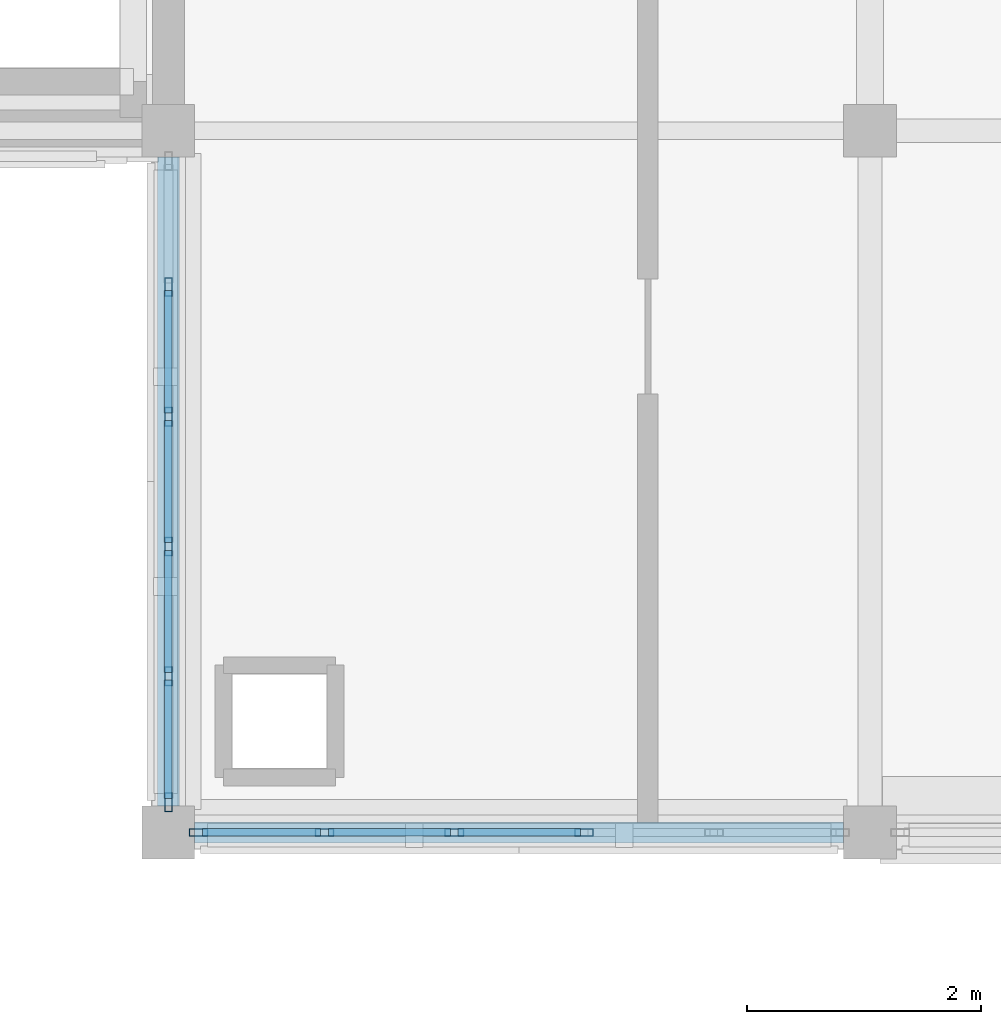
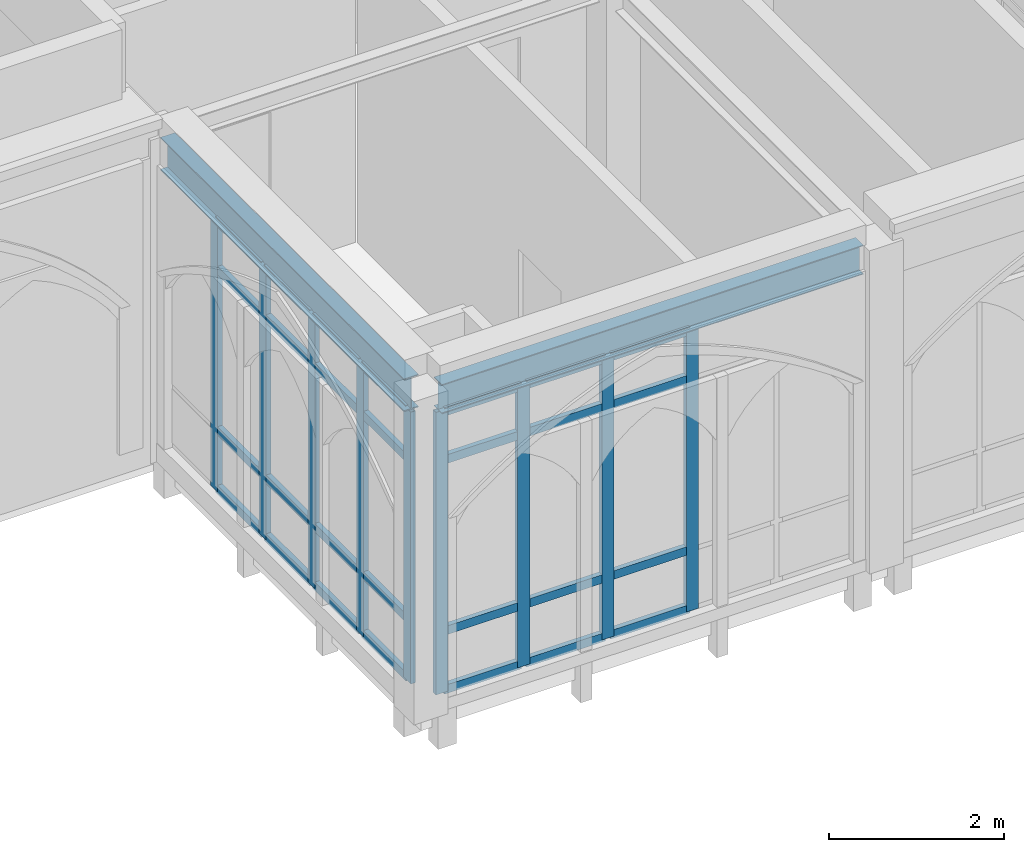
# One storey, part 13 of 59: 37 members, 2 beams, 2 elements without a shape of their own.
"""IFC4 building model written with IfcOpenShell, lengths in metres."""

from ifc_helpers import new_model, si_unit, direction, frame, origin, origin_2d, place, context, subcontext, project, spatial, hollow_rectangle, i_section, extrude, material, layer, layer_set, material_profile, profile_set, type_object, element, aggregate, save


model = new_model("IFC4")

# Units and contexts
model_context = context("Model", 3, precision=1e-05, world=origin(), true_north=direction((0.0, 1.0)))
body_context = subcontext(model_context, "Body", "Model", "MODEL_VIEW")
ifc_project = project(units=[si_unit("LENGTHUNIT", "METRE"), si_unit("AREAUNIT", "SQUARE_METRE"), si_unit("VOLUMEUNIT", "CUBIC_METRE"), si_unit("PLANEANGLEUNIT", "RADIAN"), si_unit("MASSUNIT", "GRAM", prefix="KILO")], contexts=[model_context])

# Site, building, storey
site_placement = place(None, origin())
site = spatial("IfcSite", under=ifc_project, at=site_placement, CompositionType="ELEMENT")
building_placement = place(site_placement, origin())
building = spatial("IfcBuilding", under=site, at=building_placement, Name="Cumevento Cable Car Station", CompositionType="ELEMENT")
storey_placement = place(building_placement, frame((0.0, 0.0, 18.0)))
storey = spatial("IfcBuildingStorey", under=building, at=storey_placement, Name="L05", CompositionType="ELEMENT", Elevation=18.0)

# Curtain wall, members
ifc_material_1 = material(Name="Anodised Bronze Aluminium AW-6063-T6", Category="aluminium")
ifc_layer_1 = layer(ifc_material_1, 0.159912109375)
ifc_layer_set_1 = layer_set([ifc_layer_1], Name="Anodised Bronze Aluminium AW-6063-T6")
curtain_wall_type_1 = type_object("IfcCurtainWallType", Name="Lancet Curtain Wall CW-01 1050", PredefinedType="NOTDEFINED", material=ifc_layer_set_1)
curtain_wall_1_placement = place(storey_placement, origin())
curtain_wall_1 = element("IfcCurtainWall", 1, at=curtain_wall_1_placement, inside=storey, type_object=curtain_wall_type_1, Name="Lancet Curtain Wall CW-01 L05 #192", PredefinedType="NOTDEFINED")
ifc_material_2 = material(Name="Anodised Bronze Aluminium AW-6063-T6", Category="aluminium")
ifc_material_profile_1 = material_profile(ifc_material_2, hollow_rectangle(XDim=0.06494140625, YDim=0.159912109375, WallThickness=0.00390625, at=origin_2d()), Name="ALUM65x160x4")
ifc_profile_set_1 = profile_set([ifc_material_profile_1], Name="Anodised Bronze Aluminium AW-6063-T6")
member_type_1 = type_object("IfcMemberType", Name="Curtain Mullion CWM-01 ALUM65x160x4", PredefinedType="MULLION", material=ifc_profile_set_1)
member_1_placement = place(storey_placement, frame((73.554931640625, 33.0, 0.159912109375), z_axis=(0.0, 0.0, 1.0), x_axis=(0.0, -1.0, 0.0)))
member_1 = element("IfcMember", 2, at=member_1_placement, type_object=member_type_1, Name="CW-01 mullion 3", PredefinedType="MULLION", context=body_context, shape_type="SweptSolid", body=[
    extrude(hollow_rectangle(XDim=0.06494140625, YDim=0.159912109375, WallThickness=0.00390625, at=origin_2d()), origin(), (0.0, 0.0, 1.0), 3.93310546875),
])
member_2_placement = place(storey_placement, frame((72.445068359375, 33.0, 0.159912109375), z_axis=(0.0, 0.0, 1.0), x_axis=(0.0, -1.0, 0.0)))
member_2 = element("IfcMember", 3, at=member_2_placement, type_object=member_type_1, Name="CW-01 mullion 4", PredefinedType="MULLION", context=body_context, shape_type="SweptSolid", body=[
    extrude(hollow_rectangle(XDim=0.06494140625, YDim=0.159912109375, WallThickness=0.00390625, at=origin_2d()), origin(), (0.0, 0.0, 1.0), 3.93310546875),
])
member_3_placement = place(storey_placement, frame((71.3349609375, 33.0, 0.159912109375), z_axis=(0.0, 0.0, 1.0), x_axis=(0.0, -1.0, 0.0)))
member_3 = element("IfcMember", 4, at=member_3_placement, type_object=member_type_1, Name="CW-01 mullion 5", PredefinedType="MULLION", context=body_context, shape_type="SweptSolid", body=[
    extrude(hollow_rectangle(XDim=0.06494140625, YDim=0.159912109375, WallThickness=0.00390625, at=origin_2d()), origin(), (0.0, 0.0, 1.0), 3.93310546875),
])
member_4_placement = place(storey_placement, frame((70.257568359375, 33.0, 0.159912109375), z_axis=(0.0, 0.0, 1.0), x_axis=(0.0, -1.0, 0.0)))
member_4 = element("IfcMember", 5, at=member_4_placement, type_object=member_type_1, Name="CW-01 mullion 6", PredefinedType="MULLION", context=body_context, shape_type="SweptSolid", body=[
    extrude(hollow_rectangle(XDim=0.06494140625, YDim=0.159912109375, WallThickness=0.00390625, at=origin_2d()), origin(), (0.0, 0.0, 1.0), 3.93310546875),
])

ifc_material_3 = material(Name="Anodised Bronze Aluminium AW-6063-T6", Category="aluminium")
ifc_layer_2 = layer(ifc_material_3, 0.172119140625)
ifc_layer_set_2 = layer_set([ifc_layer_2], Name="Anodised Bronze Aluminium AW-6063-T6")
curtain_wall_type_2 = type_object("IfcCurtainWallType", Name="Lancet Curtain Wall CW-03 1130", PredefinedType="NOTDEFINED", material=ifc_layer_set_2)
curtain_wall_2_placement = place(storey_placement, origin())
curtain_wall_2 = element("IfcCurtainWall", 6, at=curtain_wall_2_placement, inside=storey, type_object=curtain_wall_type_2, Name="Lancet Curtain Wall CW-03 L05 #194", PredefinedType="NOTDEFINED")
member_5_placement = place(storey_placement, frame((70.0, 33.257568359375, 0.260009765625), z_axis=(0.0, 0.0, 1.0), x_axis=(-1.0, 0.0, 0.0)))
member_5 = element("IfcMember", 7, at=member_5_placement, type_object=member_type_1, Name="CW-03 mullion 1", PredefinedType="MULLION", context=body_context, shape_type="SweptSolid", body=[
    extrude(hollow_rectangle(XDim=0.06494140625, YDim=0.159912109375, WallThickness=0.00390625, at=origin_2d()), origin(), (0.0, 0.0, 1.0), 3.782958984375),
])
member_6_placement = place(storey_placement, frame((70.0, 34.3349609375, 0.260009765625), z_axis=(0.0, 0.0, 1.0), x_axis=(-1.0, 0.0, 0.0)))
member_6 = element("IfcMember", 8, at=member_6_placement, type_object=member_type_1, Name="CW-03 mullion 2", PredefinedType="MULLION", context=body_context, shape_type="SweptSolid", body=[
    extrude(hollow_rectangle(XDim=0.06494140625, YDim=0.159912109375, WallThickness=0.00390625, at=origin_2d()), origin(), (0.0, 0.0, 1.0), 3.782958984375),
])
member_7_placement = place(storey_placement, frame((70.0, 35.445068359375, 0.260009765625), z_axis=(0.0, 0.0, 1.0), x_axis=(-1.0, 0.0, 0.0)))
member_7 = element("IfcMember", 9, at=member_7_placement, type_object=member_type_1, Name="CW-03 mullion 3", PredefinedType="MULLION", context=body_context, shape_type="SweptSolid", body=[
    extrude(hollow_rectangle(XDim=0.06494140625, YDim=0.159912109375, WallThickness=0.00390625, at=origin_2d()), origin(), (0.0, 0.0, 1.0), 3.782958984375),
])
member_8_placement = place(storey_placement, frame((70.0, 36.554931640625, 0.260009765625), z_axis=(0.0, 0.0, 1.0), x_axis=(-1.0, 0.0, 0.0)))
member_8 = element("IfcMember", 10, at=member_8_placement, type_object=member_type_1, Name="CW-03 mullion 4", PredefinedType="MULLION", context=body_context, shape_type="SweptSolid", body=[
    extrude(hollow_rectangle(XDim=0.06494140625, YDim=0.159912109375, WallThickness=0.00390625, at=origin_2d()), origin(), (0.0, 0.0, 1.0), 3.782958984375),
])
member_9_placement = place(storey_placement, frame((70.0, 37.6650390625, 0.260009765625), z_axis=(0.0, 0.0, 1.0), x_axis=(-1.0, 0.0, 0.0)))
member_9 = element("IfcMember", 11, at=member_9_placement, type_object=member_type_1, Name="CW-03 mullion 5", PredefinedType="MULLION", context=body_context, shape_type="SweptSolid", body=[
    extrude(hollow_rectangle(XDim=0.06494140625, YDim=0.159912109375, WallThickness=0.00390625, at=origin_2d()), origin(), (0.0, 0.0, 1.0), 3.782958984375),
])

# Member
ifc_material_4 = material(Name="Anodised Bronze Aluminium AW-6063-T6", Category="aluminium")
ifc_material_profile_2 = material_profile(ifc_material_4, hollow_rectangle(XDim=0.06494140625, YDim=0.1201171875, WallThickness=0.00390625, at=origin_2d()), Name="ALUT65x120x4")
ifc_profile_set_2 = profile_set([ifc_material_profile_2], Name="Anodised Bronze Aluminium AW-6063-T6")
member_type_2 = type_object("IfcMemberType", Name="Curtain Transom CWT-01 ALUT65x120x4", PredefinedType="USERDEFINED", material=ifc_profile_set_2)
member_10_placement = place(storey_placement, frame((73.5224609375, 33.0, 0.1923828125), z_axis=(-1.0, 0.0, 0.0), x_axis=(0.0, -1.0, 0.0)))
member_10 = element("IfcMember", 12, at=member_10_placement, type_object=member_type_2, Name="CW-01 transom 3.1", ObjectType="TRANSOM", PredefinedType="USERDEFINED", context=body_context, shape_type="SweptSolid", body=[
    extrude(hollow_rectangle(XDim=0.06494140625, YDim=0.1201171875, WallThickness=0.00390625, at=origin_2d()), origin(), (0.0, 0.0, 1.0), 1.044921875),
])

member_11_placement = place(storey_placement, frame((73.5224609375, 33.0, 1.010009765625), z_axis=(-1.0, 0.0, 0.0), x_axis=(0.0, -1.0, 0.0)))
member_11 = element("IfcMember", 13, at=member_11_placement, type_object=member_type_2, Name="CW-01 transom 3.2", ObjectType="TRANSOM", PredefinedType="USERDEFINED", context=body_context, shape_type="SweptSolid", body=[
    extrude(hollow_rectangle(XDim=0.06494140625, YDim=0.1201171875, WallThickness=0.00390625, at=origin_2d()), origin(), (0.0, 0.0, 1.0), 1.044921875),
])

member_12_placement = place(storey_placement, frame((73.5224609375, 33.0, 3.39306640625), z_axis=(-1.0, 0.0, 0.0), x_axis=(0.0, -1.0, 0.0)))
member_12 = element("IfcMember", 14, at=member_12_placement, type_object=member_type_2, Name="CW-01 transom 3.3", ObjectType="TRANSOM", PredefinedType="USERDEFINED", context=body_context, shape_type="SweptSolid", body=[
    extrude(hollow_rectangle(XDim=0.06494140625, YDim=0.1201171875, WallThickness=0.00390625, at=origin_2d()), origin(), (0.0, 0.0, 1.0), 1.044921875),
])

member_13_placement = place(storey_placement, frame((73.5224609375, 33.0, 4.060546875), z_axis=(-1.0, 0.0, 0.0), x_axis=(0.0, -1.0, 0.0)))
member_13 = element("IfcMember", 15, at=member_13_placement, type_object=member_type_2, Name="CW-01 transom 3.4", ObjectType="TRANSOM", PredefinedType="USERDEFINED", context=body_context, shape_type="SweptSolid", body=[
    extrude(hollow_rectangle(XDim=0.06494140625, YDim=0.1201171875, WallThickness=0.00390625, at=origin_2d()), origin(), (0.0, 0.0, 1.0), 1.044921875),
])

member_14_placement = place(storey_placement, frame((72.41259765625, 33.0, 0.1923828125), z_axis=(-1.0, 0.0, 0.0), x_axis=(0.0, -1.0, 0.0)))
member_14 = element("IfcMember", 16, at=member_14_placement, type_object=member_type_2, Name="CW-01 transom 4.1", ObjectType="TRANSOM", PredefinedType="USERDEFINED", context=body_context, shape_type="SweptSolid", body=[
    extrude(hollow_rectangle(XDim=0.06494140625, YDim=0.1201171875, WallThickness=0.00390625, at=origin_2d()), origin(), (0.0, 0.0, 1.0), 1.045166015625),
])

member_15_placement = place(storey_placement, frame((72.41259765625, 33.0, 1.010009765625), z_axis=(-1.0, 0.0, 0.0), x_axis=(0.0, -1.0, 0.0)))
member_15 = element("IfcMember", 17, at=member_15_placement, type_object=member_type_2, Name="CW-01 transom 4.2", ObjectType="TRANSOM", PredefinedType="USERDEFINED", context=body_context, shape_type="SweptSolid", body=[
    extrude(hollow_rectangle(XDim=0.06494140625, YDim=0.1201171875, WallThickness=0.00390625, at=origin_2d()), origin(), (0.0, 0.0, 1.0), 1.045166015625),
])

member_16_placement = place(storey_placement, frame((72.41259765625, 33.0, 3.39306640625), z_axis=(-1.0, 0.0, 0.0), x_axis=(0.0, -1.0, 0.0)))
member_16 = element("IfcMember", 18, at=member_16_placement, type_object=member_type_2, Name="CW-01 transom 4.3", ObjectType="TRANSOM", PredefinedType="USERDEFINED", context=body_context, shape_type="SweptSolid", body=[
    extrude(hollow_rectangle(XDim=0.06494140625, YDim=0.1201171875, WallThickness=0.00390625, at=origin_2d()), origin(), (0.0, 0.0, 1.0), 1.045166015625),
])

member_17_placement = place(storey_placement, frame((72.41259765625, 33.0, 4.060546875), z_axis=(-1.0, 0.0, 0.0), x_axis=(0.0, -1.0, 0.0)))
member_17 = element("IfcMember", 19, at=member_17_placement, type_object=member_type_2, Name="CW-01 transom 4.4", ObjectType="TRANSOM", PredefinedType="USERDEFINED", context=body_context, shape_type="SweptSolid", body=[
    extrude(hollow_rectangle(XDim=0.06494140625, YDim=0.1201171875, WallThickness=0.00390625, at=origin_2d()), origin(), (0.0, 0.0, 1.0), 1.045166015625),
])

member_18_placement = place(storey_placement, frame((71.302490234375, 33.0, 0.1923828125), z_axis=(-1.0, 0.0, 0.0), x_axis=(0.0, -1.0, 0.0)))
member_18 = element("IfcMember", 20, at=member_18_placement, type_object=member_type_2, Name="CW-01 transom 5.1", ObjectType="TRANSOM", PredefinedType="USERDEFINED", context=body_context, shape_type="SweptSolid", body=[
    extrude(hollow_rectangle(XDim=0.06494140625, YDim=0.1201171875, WallThickness=0.00390625, at=origin_2d()), origin(), (0.0, 0.0, 1.0), 1.012451171875),
])

member_19_placement = place(storey_placement, frame((71.302490234375, 33.0, 1.010009765625), z_axis=(-1.0, 0.0, 0.0), x_axis=(0.0, -1.0, 0.0)))
member_19 = element("IfcMember", 21, at=member_19_placement, type_object=member_type_2, Name="CW-01 transom 5.2", ObjectType="TRANSOM", PredefinedType="USERDEFINED", context=body_context, shape_type="SweptSolid", body=[
    extrude(hollow_rectangle(XDim=0.06494140625, YDim=0.1201171875, WallThickness=0.00390625, at=origin_2d()), origin(), (0.0, 0.0, 1.0), 1.012451171875),
])

member_20_placement = place(storey_placement, frame((71.302490234375, 33.0, 3.39306640625), z_axis=(-1.0, 0.0, 0.0), x_axis=(0.0, -1.0, 0.0)))
member_20 = element("IfcMember", 22, at=member_20_placement, type_object=member_type_2, Name="CW-01 transom 5.3", ObjectType="TRANSOM", PredefinedType="USERDEFINED", context=body_context, shape_type="SweptSolid", body=[
    extrude(hollow_rectangle(XDim=0.06494140625, YDim=0.1201171875, WallThickness=0.00390625, at=origin_2d()), origin(), (0.0, 0.0, 1.0), 1.012451171875),
])

member_21_placement = place(storey_placement, frame((71.302490234375, 33.0, 4.060546875), z_axis=(-1.0, 0.0, 0.0), x_axis=(0.0, -1.0, 0.0)))
member_21 = element("IfcMember", 23, at=member_21_placement, type_object=member_type_2, Name="CW-01 transom 5.4", ObjectType="TRANSOM", PredefinedType="USERDEFINED", context=body_context, shape_type="SweptSolid", body=[
    extrude(hollow_rectangle(XDim=0.06494140625, YDim=0.1201171875, WallThickness=0.00390625, at=origin_2d()), origin(), (0.0, 0.0, 1.0), 1.012451171875),
])

aggregate(curtain_wall_1, [member_1, member_2, member_3, member_4, member_10, member_11, member_12, member_13, member_14, member_15, member_16, member_17, member_18, member_19, member_20, member_21])

member_22_placement = place(storey_placement, frame((70.0, 33.2900390625, 0.29248046875), z_axis=(0.0, 1.0, 0.0), x_axis=(-1.0, 0.0, 0.0)))
member_22 = element("IfcMember", 24, at=member_22_placement, type_object=member_type_2, Name="CW-03 transom 1.1", ObjectType="TRANSOM", PredefinedType="USERDEFINED", context=body_context, shape_type="SweptSolid", body=[
    extrude(hollow_rectangle(XDim=0.06494140625, YDim=0.1201171875, WallThickness=0.00390625, at=origin_2d()), origin(), (0.0, 0.0, 1.0), 1.012451171875),
])

member_23_placement = place(storey_placement, frame((70.0, 33.2900390625, 1.110107421875), z_axis=(0.0, 1.0, 0.0), x_axis=(-1.0, 0.0, 0.0)))
member_23 = element("IfcMember", 25, at=member_23_placement, type_object=member_type_2, Name="CW-03 transom 1.2", ObjectType="TRANSOM", PredefinedType="USERDEFINED", context=body_context, shape_type="SweptSolid", body=[
    extrude(hollow_rectangle(XDim=0.06494140625, YDim=0.1201171875, WallThickness=0.00390625, at=origin_2d()), origin(), (0.0, 0.0, 1.0), 1.012451171875),
])

member_24_placement = place(storey_placement, frame((70.0, 33.2900390625, 3.343017578125), z_axis=(0.0, 1.0, 0.0), x_axis=(-1.0, 0.0, 0.0)))
member_24 = element("IfcMember", 26, at=member_24_placement, type_object=member_type_2, Name="CW-03 transom 1.3", ObjectType="TRANSOM", PredefinedType="USERDEFINED", context=body_context, shape_type="SweptSolid", body=[
    extrude(hollow_rectangle(XDim=0.06494140625, YDim=0.1201171875, WallThickness=0.00390625, at=origin_2d()), origin(), (0.0, 0.0, 1.0), 1.012451171875),
])

member_25_placement = place(storey_placement, frame((70.0, 33.2900390625, 4.010498046875), z_axis=(0.0, 1.0, 0.0), x_axis=(-1.0, 0.0, 0.0)))
member_25 = element("IfcMember", 27, at=member_25_placement, type_object=member_type_2, Name="CW-03 transom 1.4", ObjectType="TRANSOM", PredefinedType="USERDEFINED", context=body_context, shape_type="SweptSolid", body=[
    extrude(hollow_rectangle(XDim=0.06494140625, YDim=0.1201171875, WallThickness=0.00390625, at=origin_2d()), origin(), (0.0, 0.0, 1.0), 1.012451171875),
])

member_26_placement = place(storey_placement, frame((70.0, 34.367431640625, 0.29248046875), z_axis=(0.0, 1.0, 0.0), x_axis=(-1.0, 0.0, 0.0)))
member_26 = element("IfcMember", 28, at=member_26_placement, type_object=member_type_2, Name="CW-03 transom 2.1", ObjectType="TRANSOM", PredefinedType="USERDEFINED", context=body_context, shape_type="SweptSolid", body=[
    extrude(hollow_rectangle(XDim=0.06494140625, YDim=0.1201171875, WallThickness=0.00390625, at=origin_2d()), origin(), (0.0, 0.0, 1.0), 1.045166015625),
])

member_27_placement = place(storey_placement, frame((70.0, 34.367431640625, 1.110107421875), z_axis=(0.0, 1.0, 0.0), x_axis=(-1.0, 0.0, 0.0)))
member_27 = element("IfcMember", 29, at=member_27_placement, type_object=member_type_2, Name="CW-03 transom 2.2", ObjectType="TRANSOM", PredefinedType="USERDEFINED", context=body_context, shape_type="SweptSolid", body=[
    extrude(hollow_rectangle(XDim=0.06494140625, YDim=0.1201171875, WallThickness=0.00390625, at=origin_2d()), origin(), (0.0, 0.0, 1.0), 1.045166015625),
])

member_28_placement = place(storey_placement, frame((70.0, 34.367431640625, 3.343017578125), z_axis=(0.0, 1.0, 0.0), x_axis=(-1.0, 0.0, 0.0)))
member_28 = element("IfcMember", 30, at=member_28_placement, type_object=member_type_2, Name="CW-03 transom 2.3", ObjectType="TRANSOM", PredefinedType="USERDEFINED", context=body_context, shape_type="SweptSolid", body=[
    extrude(hollow_rectangle(XDim=0.06494140625, YDim=0.1201171875, WallThickness=0.00390625, at=origin_2d()), origin(), (0.0, 0.0, 1.0), 1.045166015625),
])

member_29_placement = place(storey_placement, frame((70.0, 34.367431640625, 4.010498046875), z_axis=(0.0, 1.0, 0.0), x_axis=(-1.0, 0.0, 0.0)))
member_29 = element("IfcMember", 31, at=member_29_placement, type_object=member_type_2, Name="CW-03 transom 2.4", ObjectType="TRANSOM", PredefinedType="USERDEFINED", context=body_context, shape_type="SweptSolid", body=[
    extrude(hollow_rectangle(XDim=0.06494140625, YDim=0.1201171875, WallThickness=0.00390625, at=origin_2d()), origin(), (0.0, 0.0, 1.0), 1.045166015625),
])

member_30_placement = place(storey_placement, frame((70.0, 35.4775390625, 0.29248046875), z_axis=(0.0, 1.0, 0.0), x_axis=(-1.0, 0.0, 0.0)))
member_30 = element("IfcMember", 32, at=member_30_placement, type_object=member_type_2, Name="CW-03 transom 3.1", ObjectType="TRANSOM", PredefinedType="USERDEFINED", context=body_context, shape_type="SweptSolid", body=[
    extrude(hollow_rectangle(XDim=0.06494140625, YDim=0.1201171875, WallThickness=0.00390625, at=origin_2d()), origin(), (0.0, 0.0, 1.0), 1.044921875),
])

member_31_placement = place(storey_placement, frame((70.0, 35.4775390625, 1.110107421875), z_axis=(0.0, 1.0, 0.0), x_axis=(-1.0, 0.0, 0.0)))
member_31 = element("IfcMember", 33, at=member_31_placement, type_object=member_type_2, Name="CW-03 transom 3.2", ObjectType="TRANSOM", PredefinedType="USERDEFINED", context=body_context, shape_type="SweptSolid", body=[
    extrude(hollow_rectangle(XDim=0.06494140625, YDim=0.1201171875, WallThickness=0.00390625, at=origin_2d()), origin(), (0.0, 0.0, 1.0), 1.044921875),
])

member_32_placement = place(storey_placement, frame((70.0, 35.4775390625, 3.343017578125), z_axis=(0.0, 1.0, 0.0), x_axis=(-1.0, 0.0, 0.0)))
member_32 = element("IfcMember", 34, at=member_32_placement, type_object=member_type_2, Name="CW-03 transom 3.3", ObjectType="TRANSOM", PredefinedType="USERDEFINED", context=body_context, shape_type="SweptSolid", body=[
    extrude(hollow_rectangle(XDim=0.06494140625, YDim=0.1201171875, WallThickness=0.00390625, at=origin_2d()), origin(), (0.0, 0.0, 1.0), 1.044921875),
])

member_33_placement = place(storey_placement, frame((70.0, 35.4775390625, 4.010498046875), z_axis=(0.0, 1.0, 0.0), x_axis=(-1.0, 0.0, 0.0)))
member_33 = element("IfcMember", 35, at=member_33_placement, type_object=member_type_2, Name="CW-03 transom 3.4", ObjectType="TRANSOM", PredefinedType="USERDEFINED", context=body_context, shape_type="SweptSolid", body=[
    extrude(hollow_rectangle(XDim=0.06494140625, YDim=0.1201171875, WallThickness=0.00390625, at=origin_2d()), origin(), (0.0, 0.0, 1.0), 1.044921875),
])

member_34_placement = place(storey_placement, frame((70.0, 36.58740234375, 0.29248046875), z_axis=(0.0, 1.0, 0.0), x_axis=(-1.0, 0.0, 0.0)))
member_34 = element("IfcMember", 36, at=member_34_placement, type_object=member_type_2, Name="CW-03 transom 4.1", ObjectType="TRANSOM", PredefinedType="USERDEFINED", context=body_context, shape_type="SweptSolid", body=[
    extrude(hollow_rectangle(XDim=0.06494140625, YDim=0.1201171875, WallThickness=0.00390625, at=origin_2d()), origin(), (0.0, 0.0, 1.0), 1.045166015625),
])

member_35_placement = place(storey_placement, frame((70.0, 36.58740234375, 1.110107421875), z_axis=(0.0, 1.0, 0.0), x_axis=(-1.0, 0.0, 0.0)))
member_35 = element("IfcMember", 37, at=member_35_placement, type_object=member_type_2, Name="CW-03 transom 4.2", ObjectType="TRANSOM", PredefinedType="USERDEFINED", context=body_context, shape_type="SweptSolid", body=[
    extrude(hollow_rectangle(XDim=0.06494140625, YDim=0.1201171875, WallThickness=0.00390625, at=origin_2d()), origin(), (0.0, 0.0, 1.0), 1.045166015625),
])

member_36_placement = place(storey_placement, frame((70.0, 36.58740234375, 3.343017578125), z_axis=(0.0, 1.0, 0.0), x_axis=(-1.0, 0.0, 0.0)))
member_36 = element("IfcMember", 38, at=member_36_placement, type_object=member_type_2, Name="CW-03 transom 4.3", ObjectType="TRANSOM", PredefinedType="USERDEFINED", context=body_context, shape_type="SweptSolid", body=[
    extrude(hollow_rectangle(XDim=0.06494140625, YDim=0.1201171875, WallThickness=0.00390625, at=origin_2d()), origin(), (0.0, 0.0, 1.0), 1.045166015625),
])

member_37_placement = place(storey_placement, frame((70.0, 36.58740234375, 4.010498046875), z_axis=(0.0, 1.0, 0.0), x_axis=(-1.0, 0.0, 0.0)))
member_37 = element("IfcMember", 39, at=member_37_placement, type_object=member_type_2, Name="CW-03 transom 4.4", ObjectType="TRANSOM", PredefinedType="USERDEFINED", context=body_context, shape_type="SweptSolid", body=[
    extrude(hollow_rectangle(XDim=0.06494140625, YDim=0.1201171875, WallThickness=0.00390625, at=origin_2d()), origin(), (0.0, 0.0, 1.0), 1.045166015625),
])

aggregate(curtain_wall_2, [member_5, member_6, member_7, member_8, member_9, member_22, member_23, member_24, member_25, member_26, member_27, member_28, member_29, member_30, member_31, member_32, member_33, member_34, member_35, member_36, member_37])

# Beams
ifc_material_5 = material(Name="Steel ASTM A572 Grade 50", Category="steel")
ifc_material_profile_3 = material_profile(ifc_material_5, i_section(OverallWidth=0.18994140625, OverallDepth=0.45703125, WebThickness=0.009033203125, FlangeThickness=0.014404296875, at=origin_2d()), Name="W460x74.0")
ifc_profile_set_3 = profile_set([ifc_material_profile_3], Name="Steel ASTM A572 Grade 50")
beam_type_1 = type_object("IfcBeamType", Name="Structural Beam BM-04 W460x74.0", PredefinedType="BEAM", material=ifc_profile_set_3)
beam_1_placement = place(storey_placement, frame((70.0, 33.22509765625, 4.271484375), z_axis=(0.0, 1.0, 0.0), x_axis=(-1.0, 0.0, 0.0)))
element("IfcBeam", 40, at=beam_1_placement, inside=storey, type_object=beam_type_1, Name="Beam BM-04 L05 #1568", PredefinedType="BEAM", context=body_context, shape_type="SweptSolid", body=[
    extrude(i_section(OverallWidth=0.18994140625, OverallDepth=0.45703125, WebThickness=0.009033203125, FlangeThickness=0.014404296875, at=origin_2d()), origin(), (0.0, 0.0, 1.0), 5.5498046875),
])
ifc_material_6 = material(Name="Steel ASTM A572 Grade 50", Category="steel")
ifc_material_profile_4 = material_profile(ifc_material_6, i_section(OverallWidth=0.177978515625, OverallDepth=0.406982421875, WebThickness=0.0078125, FlangeThickness=0.0126953125, at=origin_2d()), Name="W410x60.0")
ifc_profile_set_4 = profile_set([ifc_material_profile_4], Name="Steel ASTM A572 Grade 50")
beam_type_2 = type_object("IfcBeamType", Name="Structural Spandrel SP-01 W410x60.0", PredefinedType="SPANDREL", material=ifc_profile_set_4)
beam_2_placement = place(storey_placement, frame((70.22509765625, 33.0, 4.29638671875), z_axis=(1.0, 0.0, 0.0), x_axis=(0.0, 1.0, 0.0)))
element("IfcBeam", 41, at=beam_2_placement, inside=storey, type_object=beam_type_2, Name="Beam SP-01 L05 #1562", PredefinedType="SPANDREL", context=body_context, shape_type="SweptSolid", body=[
    extrude(i_section(OverallWidth=0.177978515625, OverallDepth=0.406982421875, WebThickness=0.0078125, FlangeThickness=0.0126953125, at=origin_2d()), origin(), (0.0, 0.0, 1.0), 5.5498046875),
])

save(model, "model.ifc")
